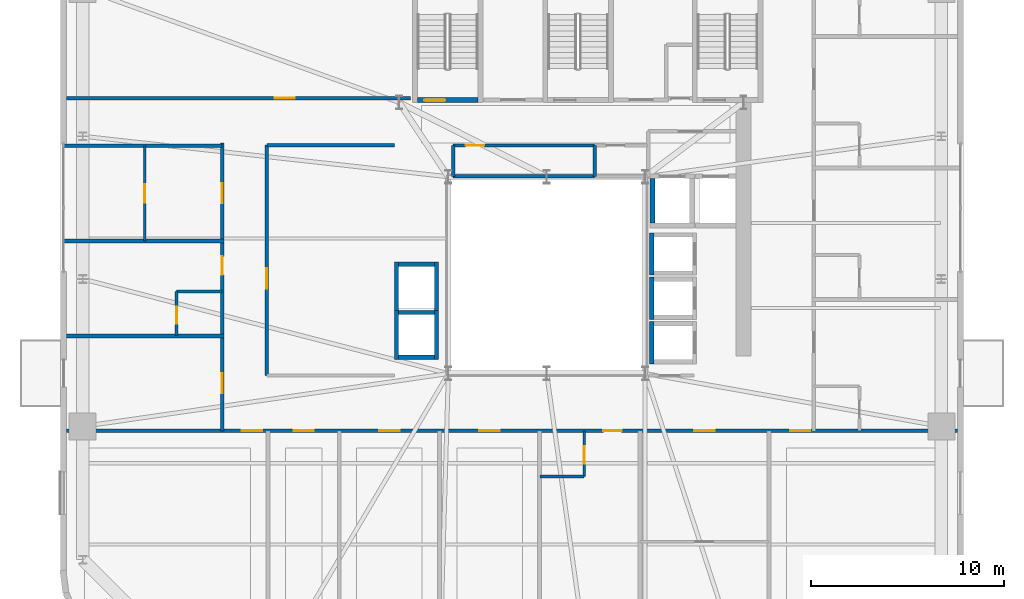
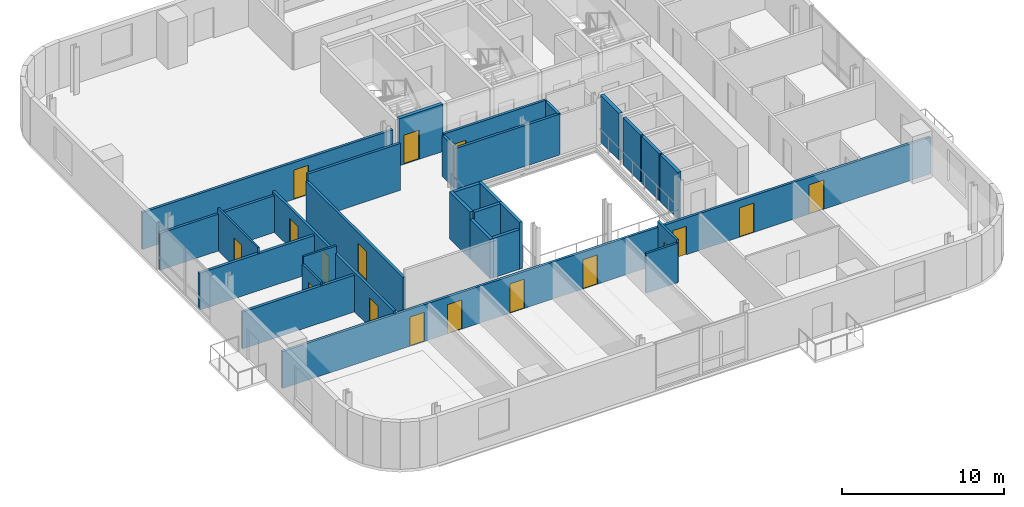
# One storey, part 8 of 16: 29 walls, 17 doors, 17 openings.
"""IFC4 building model written with IfcOpenShell, lengths in metres."""

from ifc_helpers import new_model, si_unit, direction, frame, frame_2d, origin, place, context, subcontext, project, spatial, rectangle, extrude, source, transform, mapped, material, layer, layer_set, type_object, element, fill, save


model = new_model("IFC4")

# Units and contexts
model_context = context("Model", 3, precision=1e-05, world=origin(), true_north=direction((0.0, 1.0)))
body_context = subcontext(model_context, "Body", "Model", "MODEL_VIEW")
ifc_project = project(units=[si_unit("LENGTHUNIT", "METRE"), si_unit("AREAUNIT", "SQUARE_METRE"), si_unit("VOLUMEUNIT", "CUBIC_METRE"), si_unit("PLANEANGLEUNIT", "RADIAN"), si_unit("MASSUNIT", "GRAM", prefix="KILO")], contexts=[model_context])

# Site, building, storey
site_placement = place(None, origin())
site = spatial("IfcSite", under=ifc_project, at=site_placement, CompositionType="ELEMENT")
building_placement = place(site_placement, origin())
building = spatial("IfcBuilding", under=site, at=building_placement, Name="Vardaveli Station Tower", CompositionType="ELEMENT")
storey_placement = place(building_placement, frame((0.0, 0.0, 199.800048828125)))
storey = spatial("IfcBuildingStorey", under=building, at=storey_placement, Name="L51", CompositionType="ELEMENT", Elevation=199.800048828125)

# Wall, opening, door
ifc_material_1 = material(Name="Concrete C40/50", Category="concrete")
ifc_layer_1 = layer(ifc_material_1, 0.25, Name="Concrete C40/50")
ifc_layer_set_1 = layer_set([ifc_layer_1], Name="Concrete C40/50")
wall_type_1 = type_object("IfcWallType", Name="WAL-SHAFT-250", PredefinedType="SOLIDWALL", material=ifc_layer_set_1)
shared_shape_1 = source(origin(), body_context, "Body", "SweptSolid", [
    extrude(rectangle(XDim=3.14990234375, YDim=0.25, at=frame_2d((1.574951171875, 0.0))), origin(), (0.0, 0.0, 1.0), 3.550048828125),
])
wall_1_placement = place(storey_placement, frame((29.60009765625, 30.77490234375, 0.0), z_axis=(0.0, 0.0, 1.0), x_axis=(1.0, 0.0, 0.0)))
wall_1 = element("IfcWall", 1, at=wall_1_placement, inside=storey, type_object=wall_type_1, Name="W-L51-ST-1S", PredefinedType="SOLIDWALL", context=body_context, shape_type="MappedRepresentation", body=[
    mapped(shared_shape_1, transform((0.0, 0.0, 0.0), scale=1.0)),
])
shared_shape_2 = source(origin(), body_context, "Body", "SweptSolid", [
    extrude(rectangle(XDim=1.10009765625, YDim=2.199951171875, at=frame_2d((0.550048828125, 1.10009765625))), frame((0.0, 0.135009765625, 0.0), z_axis=(0.0, -1.0, 0.0), x_axis=(1.0, 0.0, 0.0)), (0.0, 0.0, 1.0), 0.27001953125),
])
opening_1_placement = place(wall_1_placement, frame((0.35009765625, 0.0, 0.0)))
opening_1 = element("IfcOpeningElement", 2, at=opening_1_placement, cuts=wall_1, Name="Opening D-04", PredefinedType="OPENING", context=body_context, shape_type="MappedRepresentation", body=[
    mapped(shared_shape_2, transform((0.0, 0.0, 0.0), scale=1.0)),
])
ifc_material_2 = material(Name="Steel smokeproof fire doorset", Category="steel")
door_type_1 = type_object("IfcDoorType", Name="DR-ST-1100x2200", OperationType="NOTDEFINED", PredefinedType="DOOR", material=ifc_material_2)
shared_shape_3 = source(origin(), body_context, "Body", "SweptSolid", [
    extrude(rectangle(XDim=1.10009765625, YDim=2.199951171875, at=frame_2d((0.550048828125, 1.10009765625))), frame((0.0, 0.02490234375, 0.0), z_axis=(0.0, -1.0, 0.0), x_axis=(1.0, 0.0, 0.0)), (0.0, 0.0, 1.0), 0.050048828125),
])
door_1_placement = place(opening_1_placement, origin())
door_1 = element("IfcDoor", 3, at=door_1_placement, inside=storey, type_object=door_type_1, Name="DST-1-L51", OperationType="SINGLE_SWING_LEFT", OverallHeight=2.199951171875, OverallWidth=1.10009765625, PredefinedType="DOOR", context=body_context, shape_type="MappedRepresentation", body=[
    mapped(shared_shape_3, transform((0.0, 0.0, 0.0), scale=1.0)),
])
fill(opening_1, door_1)

# Walls
ifc_layer_2 = layer(ifc_material_1, 0.219970703125, Name="Concrete C40/50")
ifc_layer_set_2 = layer_set([ifc_layer_2], Name="Concrete C40/50")
wall_type_2 = type_object("IfcWallType", Name="WAL-FFLOBBY-220", PredefinedType="SOLIDWALL", material=ifc_layer_set_2)
shared_shape_4 = source(origin(), body_context, "Body", "SweptSolid", [
    extrude(rectangle(XDim=2.18994140625, YDim=0.219970703125, at=frame_2d((1.094970703125, 0.0))), origin(), (0.0, 0.0, 1.0), 3.530029296875),
])
for number, where, z_axis, x_axis, name in (
    (4, (41.739990234375, 21.705078125, 0.0), (0.0, 0.0, 1.0), (0.0, 1.0, 0.0), "SHW-HL3-01-L51-W"),
    (5, (41.739990234375, 19.405029296875, 0.0), (0.0, 0.0, 1.0), (0.0, 1.0, 0.0), "SHW-HL3-02-L51-W"),
    (6, (41.739990234375, 17.10498046875, 0.0), (0.0, 0.0, 1.0), (0.0, 1.0, 0.0), "SHW-HL3-03-L51-W"),
):
    element("IfcWall", number, at=place(storey_placement, frame(where, z_axis=z_axis, x_axis=x_axis)), inside=storey, type_object=wall_type_2, Name=name, PredefinedType="SOLIDWALL", context=body_context, shape_type="MappedRepresentation", body=[
        mapped(shared_shape_4, transform((0.0, 0.0, 0.0), scale=1.0)),
    ])
shared_shape_5 = source(origin(), body_context, "Body", "SweptSolid", [
    extrude(rectangle(XDim=1.85009765625, YDim=0.219970703125, at=frame_2d((0.925048828125, 0.0))), origin(), (0.0, 0.0, 1.0), 2.971923828125),
])
wall_2_placement = place(storey_placement, frame((28.625, 17.43994140625, 0.0), z_axis=(0.0, 0.0, 1.0), x_axis=(1.0, 0.0, 0.0)))
element("IfcWall", 7, at=wall_2_placement, inside=storey, type_object=wall_type_2, Name="SHW-OBS-01-L51-S", PredefinedType="SOLIDWALL", context=body_context, shape_type="MappedRepresentation", body=[
    mapped(shared_shape_5, transform((0.0, 0.0, 0.0), scale=1.0)),
])
shared_shape_6 = source(origin(), body_context, "Body", "SweptSolid", [
    extrude(rectangle(XDim=1.85009765625, YDim=0.219970703125, at=frame_2d((0.925048828125, 0.0))), origin(), (0.0, 0.0, 1.0), 3.530029296875),
])
for number, where, z_axis, x_axis, name in (
    (8, (28.625, 19.760009765625, 0.0), (0.0, 0.0, 1.0), (1.0, 0.0, 0.0), "SHW-OBS-01-L51-N"),
    (9, (28.625, 22.260009765625, 0.0), (0.0, 0.0, 1.0), (1.0, 0.0, 0.0), "SHW-OBS-02-L51-N"),
):
    element("IfcWall", number, at=place(storey_placement, frame(where, z_axis=z_axis, x_axis=x_axis)), inside=storey, type_object=wall_type_2, Name=name, PredefinedType="SOLIDWALL", context=body_context, shape_type="MappedRepresentation", body=[
        mapped(shared_shape_6, transform((0.0, 0.0, 0.0), scale=1.0)),
    ])
shared_shape_7 = source(origin(), body_context, "Body", "SweptSolid", [
    extrude(rectangle(XDim=2.5400390625, YDim=0.219970703125, at=frame_2d((1.27001953125, 0.0))), origin(), (0.0, 0.0, 1.0), 2.971923828125),
])
wall_3_placement = place(storey_placement, frame((28.514892578125, 17.330078125, 0.0), z_axis=(0.0, 0.0, 1.0), x_axis=(0.0, 1.0, 0.0)))
element("IfcWall", 10, at=wall_3_placement, inside=storey, type_object=wall_type_2, Name="SHW-OBS-01-L51-W", PredefinedType="SOLIDWALL", context=body_context, shape_type="MappedRepresentation", body=[
    mapped(shared_shape_7, transform((0.0, 0.0, 0.0), scale=1.0)),
])
shared_shape_8 = source(origin(), body_context, "Body", "SweptSolid", [
    extrude(rectangle(XDim=2.5400390625, YDim=0.219970703125, at=frame_2d((1.27001953125, 0.0))), origin(), (0.0, 0.0, 1.0), 3.530029296875),
])
for number, where, z_axis, x_axis, name in (
    (11, (30.5849609375, 17.330078125, 0.0), (0.0, 0.0, 1.0), (0.0, 1.0, 0.0), "SHW-OBS-01-L51-E"),
    (12, (28.514892578125, 19.830078125, 0.0), (0.0, 0.0, 1.0), (0.0, 1.0, 0.0), "SHW-OBS-02-L51-W"),
    (13, (30.5849609375, 19.830078125, 0.0), (0.0, 0.0, 1.0), (0.0, 1.0, 0.0), "SHW-OBS-02-L51-E"),
):
    element("IfcWall", number, at=place(storey_placement, frame(where, z_axis=z_axis, x_axis=x_axis)), inside=storey, type_object=wall_type_2, Name=name, PredefinedType="SOLIDWALL", context=body_context, shape_type="MappedRepresentation", body=[
        mapped(shared_shape_8, transform((0.0, 0.0, 0.0), scale=1.0)),
    ])
shared_shape_9 = source(origin(), body_context, "Body", "SweptSolid", [
    extrude(rectangle(XDim=2.300048828125, YDim=0.25, at=frame_2d((1.14990234375, 0.0))), origin(), (0.0, 0.0, 1.0), 3.530029296875),
])
wall_4_placement = place(storey_placement, frame((41.77490234375, 24.39990234375, 0.0), z_axis=(0.0, 0.0, 1.0), x_axis=(0.0, 1.0, 0.0)))
element("IfcWall", 14, at=wall_4_placement, inside=storey, type_object=wall_type_1, Name="SHW-SRV-01-L51-W", PredefinedType="SOLIDWALL", context=body_context, shape_type="MappedRepresentation", body=[
    mapped(shared_shape_9, transform((0.0, 0.0, 0.0), scale=1.0)),
])

# Wall, openings, doors
ifc_material_3 = material(Name="Fire-rated gypsum stud partition")
ifc_layer_3 = layer(ifc_material_3, 0.179931640625, Name="Fire-rated gypsum stud partition")
ifc_layer_set_3 = layer_set([ifc_layer_3], Name="Fire-rated gypsum stud partition")
wall_type_3 = type_object("IfcWallType", Name="WAL-CORR-180", PredefinedType="PARTITIONING", material=ifc_layer_set_3)
shared_shape_10 = source(origin(), body_context, "Body", "SweptSolid", [
    extrude(rectangle(XDim=46.15576171875, YDim=0.179931640625, at=frame_2d((23.077880859375, 0.0))), origin(), (0.0, 0.0, 1.0), 2.77197265625),
])
wall_5_placement = place(storey_placement, frame((11.422119140625, 13.6298828125, 0.0), z_axis=(0.0, 0.0, 1.0), x_axis=(1.0, 0.0, 0.0)))
wall_5 = element("IfcWall", 15, at=wall_5_placement, inside=storey, type_object=wall_type_3, Name="W-L51-CS", PredefinedType="PARTITIONING", context=body_context, shape_type="MappedRepresentation", body=[
    mapped(shared_shape_10, transform((0.0, 0.0, 0.0), scale=1.0)),
])
shared_shape_11 = source(origin(), body_context, "Body", "SweptSolid", [
    extrude(rectangle(XDim=1.050048828125, YDim=2.199951171875, at=frame_2d((0.52490234375, 1.10009765625))), frame((0.0, 0.10009765625, 0.0), z_axis=(0.0, -1.0, 0.0), x_axis=(1.0, 0.0, 0.0)), (0.0, 0.0, 1.0), 0.199951171875),
])
opening_2_placement = place(wall_5_placement, frame((9.077880859375, 0.0, 0.0)))
opening_2 = element("IfcOpeningElement", 16, at=opening_2_placement, cuts=wall_5, Name="Opening D-05", PredefinedType="OPENING", context=body_context, shape_type="MappedRepresentation", body=[
    mapped(shared_shape_11, transform((0.0, 0.0, 0.0), scale=1.0)),
])
opening_3_placement = place(wall_5_placement, frame((11.7548828125, 0.0, 0.0)))
opening_3 = element("IfcOpeningElement", 17, at=opening_3_placement, cuts=wall_5, Name="Opening D-05", PredefinedType="OPENING", context=body_context, shape_type="MappedRepresentation", body=[
    mapped(shared_shape_11, transform((0.0, 0.0, 0.0), scale=1.0)),
])
opening_4_placement = place(wall_5_placement, frame((16.198974609375, 0.0, 0.0)))
opening_4 = element("IfcOpeningElement", 18, at=opening_4_placement, cuts=wall_5, Name="Opening D-05", PredefinedType="OPENING", context=body_context, shape_type="MappedRepresentation", body=[
    mapped(shared_shape_11, transform((0.0, 0.0, 0.0), scale=1.0)),
])
opening_5_placement = place(wall_5_placement, frame((21.39306640625, 0.0, 0.0)))
opening_5 = element("IfcOpeningElement", 19, at=opening_5_placement, cuts=wall_5, Name="Opening D-05", PredefinedType="OPENING", context=body_context, shape_type="MappedRepresentation", body=[
    mapped(shared_shape_11, transform((0.0, 0.0, 0.0), scale=1.0)),
])
shared_shape_12 = source(origin(), body_context, "Body", "SweptSolid", [
    extrude(rectangle(XDim=0.949951171875, YDim=2.14990234375, at=frame_2d((0.47509765625, 1.074951171875))), frame((0.0, 0.10009765625, 0.0), z_axis=(0.0, -1.0, 0.0), x_axis=(1.0, 0.0, 0.0)), (0.0, 0.0, 1.0), 0.199951171875),
])
opening_6_placement = place(wall_5_placement, frame((27.81201171875, 0.0, 0.0)))
opening_6 = element("IfcOpeningElement", 20, at=opening_6_placement, cuts=wall_5, Name="Opening D-06", PredefinedType="OPENING", context=body_context, shape_type="MappedRepresentation", body=[
    mapped(shared_shape_12, transform((0.0, 0.0, 0.0), scale=1.0)),
])
opening_7_placement = place(wall_5_placement, frame((32.531005859375, 0.0, 0.0)))
opening_7 = element("IfcOpeningElement", 21, at=opening_7_placement, cuts=wall_5, Name="Opening D-05", PredefinedType="OPENING", context=body_context, shape_type="MappedRepresentation", body=[
    mapped(shared_shape_11, transform((0.0, 0.0, 0.0), scale=1.0)),
])
opening_8_placement = place(wall_5_placement, frame((37.498046875, 0.0, 0.0)))
opening_8 = element("IfcOpeningElement", 22, at=opening_8_placement, cuts=wall_5, Name="Opening D-05", PredefinedType="OPENING", context=body_context, shape_type="MappedRepresentation", body=[
    mapped(shared_shape_11, transform((0.0, 0.0, 0.0), scale=1.0)),
])
ifc_material_4 = material(Name="Walnut veneer acoustic fire door")
door_type_2 = type_object("IfcDoorType", Name="DR-SUITE-1050x2200", OperationType="NOTDEFINED", PredefinedType="DOOR", material=ifc_material_4)
shared_shape_13 = source(origin(), body_context, "Body", "SweptSolid", [
    extrude(rectangle(XDim=1.050048828125, YDim=2.199951171875, at=frame_2d((0.52490234375, 1.10009765625))), frame((0.0, 0.02490234375, 0.0), z_axis=(0.0, -1.0, 0.0), x_axis=(1.0, 0.0, 0.0)), (0.0, 0.0, 1.0), 0.050048828125),
])
door_2_placement = place(opening_2_placement, origin())
door_2 = element("IfcDoor", 23, at=door_2_placement, inside=storey, type_object=door_type_2, Name="D-L51-SA1", OperationType="SINGLE_SWING_LEFT", OverallHeight=2.199951171875, OverallWidth=1.050048828125, PredefinedType="DOOR", context=body_context, shape_type="MappedRepresentation", body=[
    mapped(shared_shape_13, transform((0.0, 0.0, 0.0), scale=1.0)),
])
fill(opening_2, door_2)
door_3_placement = place(opening_3_placement, origin())
door_3 = element("IfcDoor", 24, at=door_3_placement, inside=storey, type_object=door_type_2, Name="D-L51-SA2", OperationType="SINGLE_SWING_RIGHT", OverallHeight=2.199951171875, OverallWidth=1.050048828125, PredefinedType="DOOR", context=body_context, shape_type="MappedRepresentation", body=[
    mapped(shared_shape_13, transform((0.0, 0.0, 0.0), scale=1.0)),
])
fill(opening_3, door_3)
door_4_placement = place(opening_4_placement, origin())
door_4 = element("IfcDoor", 25, at=door_4_placement, inside=storey, type_object=door_type_2, Name="D-L51-SA3", OperationType="SINGLE_SWING_LEFT", OverallHeight=2.199951171875, OverallWidth=1.050048828125, PredefinedType="DOOR", context=body_context, shape_type="MappedRepresentation", body=[
    mapped(shared_shape_13, transform((0.0, 0.0, 0.0), scale=1.0)),
])
fill(opening_4, door_4)
door_5_placement = place(opening_5_placement, origin())
door_5 = element("IfcDoor", 26, at=door_5_placement, inside=storey, type_object=door_type_2, Name="D-L51-SA4", OperationType="SINGLE_SWING_RIGHT", OverallHeight=2.199951171875, OverallWidth=1.050048828125, PredefinedType="DOOR", context=body_context, shape_type="MappedRepresentation", body=[
    mapped(shared_shape_13, transform((0.0, 0.0, 0.0), scale=1.0)),
])
fill(opening_5, door_5)
door_6_placement = place(opening_7_placement, origin())
door_6 = element("IfcDoor", 27, at=door_6_placement, inside=storey, type_object=door_type_2, Name="D-L51-SCB6", OperationType="SINGLE_SWING_RIGHT", OverallHeight=2.199951171875, OverallWidth=1.050048828125, PredefinedType="DOOR", context=body_context, shape_type="MappedRepresentation", body=[
    mapped(shared_shape_13, transform((0.0, 0.0, 0.0), scale=1.0)),
])
fill(opening_7, door_6)
door_7_placement = place(opening_8_placement, origin())
door_7 = element("IfcDoor", 28, at=door_7_placement, inside=storey, type_object=door_type_2, Name="D-L51-SA7", OperationType="SINGLE_SWING_LEFT", OverallHeight=2.199951171875, OverallWidth=1.050048828125, PredefinedType="DOOR", context=body_context, shape_type="MappedRepresentation", body=[
    mapped(shared_shape_13, transform((0.0, 0.0, 0.0), scale=1.0)),
])
fill(opening_8, door_7)
ifc_material_5 = material(Name="Oak veneer acoustic fire door")
door_type_3 = type_object("IfcDoorType", Name="DR-GUEST-950x2150", OperationType="NOTDEFINED", PredefinedType="DOOR", material=ifc_material_5)
shared_shape_14 = source(origin(), body_context, "Body", "SweptSolid", [
    extrude(rectangle(XDim=0.949951171875, YDim=2.14990234375, at=frame_2d((0.47509765625, 1.074951171875))), frame((0.0, 0.02490234375, 0.0), z_axis=(0.0, -1.0, 0.0), x_axis=(1.0, 0.0, 0.0)), (0.0, 0.0, 1.0), 0.050048828125),
])
door_8_placement = place(opening_6_placement, origin())
door_8 = element("IfcDoor", 29, at=door_8_placement, inside=storey, type_object=door_type_3, Name="D-L51-GS5", OperationType="SINGLE_SWING_LEFT", OverallHeight=2.14990234375, OverallWidth=0.949951171875, PredefinedType="DOOR", context=body_context, shape_type="MappedRepresentation", body=[
    mapped(shared_shape_14, transform((0.0, 0.0, 0.0), scale=1.0)),
])
fill(opening_6, door_8)

# Wall, opening, door
shared_shape_15 = source(origin(), body_context, "Body", "SweptSolid", [
    extrude(rectangle(XDim=17.827880859375, YDim=0.179931640625, at=frame_2d((8.9140625, 0.0))), origin(), (0.0, 0.0, 1.0), 2.77197265625),
])
wall_6_placement = place(storey_placement, frame((11.422119140625, 30.8798828125, 0.0), z_axis=(0.0, 0.0, 1.0), x_axis=(1.0, 0.0, 0.0)))
wall_6 = element("IfcWall", 30, at=wall_6_placement, inside=storey, type_object=wall_type_3, Name="W-L51-CNWS", PredefinedType="PARTITIONING", context=body_context, shape_type="MappedRepresentation", body=[
    mapped(shared_shape_15, transform((0.0, 0.0, 0.0), scale=1.0)),
])
opening_9_placement = place(wall_6_placement, frame((10.778076171875, 0.0, 0.0)))
opening_9 = element("IfcOpeningElement", 31, at=opening_9_placement, cuts=wall_6, Name="Opening D-05", PredefinedType="OPENING", context=body_context, shape_type="MappedRepresentation", body=[
    mapped(shared_shape_11, transform((0.0, 0.0, 0.0), scale=1.0)),
])
door_9_placement = place(opening_9_placement, origin())
door_9 = element("IfcDoor", 32, at=door_9_placement, inside=storey, type_object=door_type_2, Name="D-L51-GNW1", OperationType="SINGLE_SWING_LEFT", OverallHeight=2.199951171875, OverallWidth=1.050048828125, PredefinedType="DOOR", context=body_context, shape_type="MappedRepresentation", body=[
    mapped(shared_shape_13, transform((0.0, 0.0, 0.0), scale=1.0)),
])
fill(opening_9, door_9)

ifc_material_6 = material(Name="Moisture-resistant stud partition")
ifc_layer_4 = layer(ifc_material_6, 0.14990234375, Name="Moisture-resistant stud partition")
ifc_layer_set_4 = layer_set([ifc_layer_4], Name="Moisture-resistant stud partition")
wall_type_4 = type_object("IfcWallType", Name="WAL-WET-150", PredefinedType="PARTITIONING", material=ifc_layer_set_4)
shared_shape_16 = source(origin(), body_context, "Body", "SweptSolid", [
    extrude(rectangle(XDim=2.2900390625, YDim=0.14990234375, at=frame_2d((1.14501953125, 0.0))), origin(), (0.0, 0.0, 1.0), 2.971923828125),
])
wall_7_placement = place(storey_placement, frame((17.1201171875, 18.572998046875, 0.0), z_axis=(0.0, 0.0, 1.0), x_axis=(0.0, 1.0, 0.0)))
wall_7 = element("IfcWall", 33, at=wall_7_placement, inside=storey, type_object=wall_type_4, Name="W-L51-BW2-W", PredefinedType="PARTITIONING", context=body_context, shape_type="MappedRepresentation", body=[
    mapped(shared_shape_16, transform((0.0, 0.0, 0.0), scale=1.0)),
])
shared_shape_17 = source(origin(), body_context, "Body", "SweptSolid", [
    extrude(rectangle(XDim=0.89990234375, YDim=2.10009765625, at=frame_2d((0.449951171875, 1.050048828125))), frame((0.0, 0.0849609375, 0.0), z_axis=(0.0, -1.0, 0.0), x_axis=(1.0, 0.0, 0.0)), (0.0, 0.0, 1.0), 0.169921875),
])
opening_10_placement = place(wall_7_placement, frame((0.60009765625, 0.0, 0.0)))
opening_10 = element("IfcOpeningElement", 34, at=opening_10_placement, cuts=wall_7, Name="Opening D-08", PredefinedType="OPENING", context=body_context, shape_type="MappedRepresentation", body=[
    mapped(shared_shape_17, transform((0.0, 0.0, 0.0), scale=1.0)),
])
ifc_material_7 = material(Name="Moisture-resistant oak door")
door_type_4 = type_object("IfcDoorType", Name="DR-BATH-900x2100", OperationType="NOTDEFINED", PredefinedType="DOOR", material=ifc_material_7)
shared_shape_18 = source(origin(), body_context, "Body", "SweptSolid", [
    extrude(rectangle(XDim=0.89990234375, YDim=2.10009765625, at=frame_2d((0.449951171875, 1.050048828125))), frame((0.0, 0.02490234375, 0.0), z_axis=(0.0, -1.0, 0.0), x_axis=(1.0, 0.0, 0.0)), (0.0, 0.0, 1.0), 0.050048828125),
])
door_10_placement = place(opening_10_placement, origin())
door_10 = element("IfcDoor", 35, at=door_10_placement, inside=storey, type_object=door_type_4, Name="D-L51-BW2", OperationType="SINGLE_SWING_LEFT", OverallHeight=2.10009765625, OverallWidth=0.89990234375, PredefinedType="DOOR", context=body_context, shape_type="MappedRepresentation", body=[
    mapped(shared_shape_18, transform((0.0, 0.0, 0.0), scale=1.0)),
])
fill(opening_10, door_10)

# Walls
wall_8_placement = place(storey_placement, frame((35.951904296875, 11.27001953125, 0.0), z_axis=(0.0, 0.0, 1.0), x_axis=(1.0, 0.0, 0.0)))
element("IfcWall", 36, at=wall_8_placement, inside=storey, type_object=wall_type_4, Name="W-L51-BS5-S", PredefinedType="PARTITIONING", context=body_context, shape_type="MappedRepresentation", body=[
    mapped(shared_shape_16, transform((0.0, 0.0, 0.0), scale=1.0)),
])
shared_shape_19 = source(origin(), body_context, "Body", "SweptSolid", [
    extrude(rectangle(XDim=2.35986328125, YDim=0.14990234375, at=frame_2d((1.179931640625, 0.0))), origin(), (0.0, 0.0, 1.0), 3.530029296875),
])
wall_9_placement = place(storey_placement, frame((17.1201171875, 20.863037109375, 0.0), z_axis=(0.0, 0.0, 1.0), x_axis=(1.0, 0.0, 0.0)))
element("IfcWall", 37, at=wall_9_placement, inside=storey, type_object=wall_type_4, Name="W-L51-BW2-N", PredefinedType="PARTITIONING", context=body_context, shape_type="MappedRepresentation", body=[
    mapped(shared_shape_19, transform((0.0, 0.0, 0.0), scale=1.0)),
])
shared_shape_20 = source(origin(), body_context, "Body", "SweptSolid", [
    extrude(rectangle(XDim=1.599853515625, YDim=0.179931640625, at=frame_2d((0.7998046875, 0.0))), origin(), (0.0, 0.0, 1.0), 3.072021484375),
])
for number, where, z_axis, x_axis, name in (
    (38, (31.449951171875, 26.820068359375, 0.0), (0.0, 0.0, 1.0), (0.0, 1.0, 0.0), "W-L51-HKP0-W"),
    (39, (38.780029296875, 26.820068359375, 0.0), (0.0, 0.0, 1.0), (0.0, 1.0, 0.0), "W-L51-HKP0-E"),
):
    element("IfcWall", number, at=place(storey_placement, frame(where, z_axis=z_axis, x_axis=x_axis)), inside=storey, type_object=wall_type_3, Name=name, PredefinedType="PARTITIONING", context=body_context, shape_type="MappedRepresentation", body=[
        mapped(shared_shape_20, transform((0.0, 0.0, 0.0), scale=1.0)),
    ])

# Wall, opening, door
shared_shape_21 = source(origin(), body_context, "Body", "SweptSolid", [
    extrude(rectangle(XDim=11.93994140625, YDim=0.179931640625, at=frame_2d((5.969970703125, 0.0))), origin(), (0.0, 0.0, 1.0), 2.971923828125),
])
wall_10_placement = place(storey_placement, frame((21.800048828125, 16.5, 0.0), z_axis=(0.0, 0.0, 1.0), x_axis=(0.0, 1.0, 0.0)))
wall_10 = element("IfcWall", 40, at=wall_10_placement, inside=storey, type_object=wall_type_3, Name="W-L51-ATW-W", PredefinedType="PARTITIONING", context=body_context, shape_type="MappedRepresentation", body=[
    mapped(shared_shape_21, transform((0.0, 0.0, 0.0), scale=1.0)),
])
opening_11_placement = place(wall_10_placement, frame((4.5, 0.0, 0.0)))
opening_11 = element("IfcOpeningElement", 41, at=opening_11_placement, cuts=wall_10, Name="Opening D-05", PredefinedType="OPENING", context=body_context, shape_type="MappedRepresentation", body=[
    mapped(shared_shape_11, transform((0.0, 0.0, 0.0), scale=1.0)),
])
door_11_placement = place(opening_11_placement, origin())
door_11 = element("IfcDoor", 42, at=door_11_placement, inside=storey, type_object=door_type_2, Name="D-L51-ATW1", OperationType="SINGLE_SWING_LEFT", OverallHeight=2.199951171875, OverallWidth=1.050048828125, PredefinedType="DOOR", context=body_context, shape_type="MappedRepresentation", body=[
    mapped(shared_shape_13, transform((0.0, 0.0, 0.0), scale=1.0)),
])
fill(opening_11, door_11)

shared_shape_22 = source(origin(), body_context, "Body", "SweptSolid", [
    extrude(rectangle(XDim=7.330078125, YDim=0.179931640625, at=frame_2d((3.6650390625, 0.0))), origin(), (0.0, 0.0, 1.0), 3.161865234375),
])
wall_11_placement = place(storey_placement, frame((31.449951171875, 28.419921875, 0.0), z_axis=(0.0, 0.0, 1.0), x_axis=(1.0, 0.0, 0.0)))
wall_11 = element("IfcWall", 43, at=wall_11_placement, inside=storey, type_object=wall_type_3, Name="W-L51-HKP0-N", PredefinedType="PARTITIONING", context=body_context, shape_type="MappedRepresentation", body=[
    mapped(shared_shape_22, transform((0.0, 0.0, 0.0), scale=1.0)),
])
opening_12_placement = place(wall_11_placement, frame((0.64990234375, 0.0, 0.0)))
opening_12 = element("IfcOpeningElement", 44, at=opening_12_placement, cuts=wall_11, Name="Opening D-06", PredefinedType="OPENING", context=body_context, shape_type="MappedRepresentation", body=[
    mapped(shared_shape_12, transform((0.0, 0.0, 0.0), scale=1.0)),
])
door_12_placement = place(opening_12_placement, origin())
door_12 = element("IfcDoor", 45, at=door_12_placement, inside=storey, type_object=door_type_3, Name="D-L51-HKP", OperationType="SINGLE_SWING_RIGHT", OverallHeight=2.14990234375, OverallWidth=0.949951171875, PredefinedType="DOOR", context=body_context, shape_type="MappedRepresentation", body=[
    mapped(shared_shape_14, transform((0.0, 0.0, 0.0), scale=1.0)),
])
fill(opening_12, door_12)

# Wall
shared_shape_23 = source(origin(), body_context, "Body", "SweptSolid", [
    extrude(rectangle(XDim=7.330078125, YDim=0.179931640625, at=frame_2d((3.6650390625, 0.0))), origin(), (0.0, 0.0, 1.0), 3.072021484375),
])
wall_12_placement = place(storey_placement, frame((31.449951171875, 26.820068359375, 0.0), z_axis=(0.0, 0.0, 1.0), x_axis=(1.0, 0.0, 0.0)))
element("IfcWall", 46, at=wall_12_placement, inside=storey, type_object=wall_type_3, Name="W-L51-HKP0-S", PredefinedType="PARTITIONING", context=body_context, shape_type="MappedRepresentation", body=[
    mapped(shared_shape_23, transform((0.0, 0.0, 0.0), scale=1.0)),
])

# Wall, openings, doors
shared_shape_24 = source(origin(), body_context, "Body", "SweptSolid", [
    extrude(rectangle(XDim=14.920166015625, YDim=0.179931640625, at=frame_2d((7.4599609375, 0.0))), origin(), (0.0, 0.0, 1.0), 2.971923828125),
])
wall_13_placement = place(storey_placement, frame((19.47998046875, 13.6298828125, 0.0), z_axis=(0.0, 0.0, 1.0), x_axis=(0.0, 1.0, 0.0)))
wall_13 = element("IfcWall", 47, at=wall_13_placement, inside=storey, type_object=wall_type_3, Name="W-L51-CW", PredefinedType="PARTITIONING", context=body_context, shape_type="MappedRepresentation", body=[
    mapped(shared_shape_24, transform((0.0, 0.0, 0.0), scale=1.0)),
])
opening_13_placement = place(wall_13_placement, frame((1.941650390625, 0.0, 0.0)))
opening_13 = element("IfcOpeningElement", 48, at=opening_13_placement, cuts=wall_13, Name="Opening D-05", PredefinedType="OPENING", context=body_context, shape_type="MappedRepresentation", body=[
    mapped(shared_shape_11, transform((0.0, 0.0, 0.0), scale=1.0)),
])
opening_14_placement = place(wall_13_placement, frame((8.090087890625, 0.0, 0.0)))
opening_14 = element("IfcOpeningElement", 49, at=opening_14_placement, cuts=wall_13, Name="Opening D-06", PredefinedType="OPENING", context=body_context, shape_type="MappedRepresentation", body=[
    mapped(shared_shape_12, transform((0.0, 0.0, 0.0), scale=1.0)),
])
opening_15_placement = place(wall_13_placement, frame((11.788330078125, 0.0, 0.0)))
opening_15 = element("IfcOpeningElement", 50, at=opening_15_placement, cuts=wall_13, Name="Opening D-05", PredefinedType="OPENING", context=body_context, shape_type="MappedRepresentation", body=[
    mapped(shared_shape_11, transform((0.0, 0.0, 0.0), scale=1.0)),
])
door_13_placement = place(opening_13_placement, origin())
door_13 = element("IfcDoor", 51, at=door_13_placement, inside=storey, type_object=door_type_2, Name="D-L51-GW1", OperationType="SINGLE_SWING_RIGHT", OverallHeight=2.199951171875, OverallWidth=1.050048828125, PredefinedType="DOOR", context=body_context, shape_type="MappedRepresentation", body=[
    mapped(shared_shape_13, transform((0.0, 0.0, 0.0), scale=1.0)),
])
fill(opening_13, door_13)
door_14_placement = place(opening_15_placement, origin())
door_14 = element("IfcDoor", 52, at=door_14_placement, inside=storey, type_object=door_type_2, Name="D-L51-GW3", OperationType="SINGLE_SWING_RIGHT", OverallHeight=2.199951171875, OverallWidth=1.050048828125, PredefinedType="DOOR", context=body_context, shape_type="MappedRepresentation", body=[
    mapped(shared_shape_13, transform((0.0, 0.0, 0.0), scale=1.0)),
])
fill(opening_15, door_14)
door_15_placement = place(opening_14_placement, origin())
door_15 = element("IfcDoor", 53, at=door_15_placement, inside=storey, type_object=door_type_3, Name="D-L51-GW2", OperationType="SINGLE_SWING_LEFT", OverallHeight=2.14990234375, OverallWidth=0.949951171875, PredefinedType="DOOR", context=body_context, shape_type="MappedRepresentation", body=[
    mapped(shared_shape_14, transform((0.0, 0.0, 0.0), scale=1.0)),
])
fill(opening_14, door_15)

# Wall, opening, door
ifc_material_8 = material(Name="Gypsum board stud partition")
ifc_layer_5 = layer(ifc_material_8, 0.125, Name="Gypsum board stud partition")
ifc_layer_set_5 = layer_set([ifc_layer_5], Name="Gypsum board stud partition")
wall_type_5 = type_object("IfcWallType", Name="WAL-INT-125", PredefinedType="PARTITIONING", material=ifc_layer_set_5)
shared_shape_25 = source(origin(), body_context, "Body", "SweptSolid", [
    extrude(rectangle(XDim=4.9228515625, YDim=0.125, at=frame_2d((2.46142578125, 0.0))), origin(), (0.0, 0.0, 1.0), 3.19189453125),
])
wall_14_placement = place(storey_placement, frame((15.465087890625, 23.47705078125, 0.0), z_axis=(0.0, 0.0, 1.0), x_axis=(0.0, 1.0, 0.0)))
wall_14 = element("IfcWall", 54, at=wall_14_placement, inside=storey, type_object=wall_type_5, Name="W-L51-WCM3", PredefinedType="PARTITIONING", context=body_context, shape_type="MappedRepresentation", body=[
    mapped(shared_shape_25, transform((0.0, 0.0, 0.0), scale=1.0)),
])
shared_shape_26 = source(origin(), body_context, "Body", "SweptSolid", [
    extrude(rectangle(XDim=0.949951171875, YDim=2.14990234375, at=frame_2d((0.47509765625, 1.074951171875))), frame((0.0, 0.072509765625, 0.0), z_axis=(0.0, -1.0, 0.0), x_axis=(1.0, 0.0, 0.0)), (0.0, 0.0, 1.0), 0.14501953125),
])
opening_16_placement = place(wall_14_placement, frame((1.981689453125, 0.0, 0.0)))
opening_16 = element("IfcOpeningElement", 55, at=opening_16_placement, cuts=wall_14, Name="Opening D-11", PredefinedType="OPENING", context=body_context, shape_type="MappedRepresentation", body=[
    mapped(shared_shape_26, transform((0.0, 0.0, 0.0), scale=1.0)),
])
ifc_material_9 = material(Name="Oak veneer internal suite door")
door_type_5 = type_object("IfcDoorType", Name="DR-INT-950x2150", OperationType="NOTDEFINED", PredefinedType="DOOR", material=ifc_material_9)
door_16_placement = place(opening_16_placement, origin())
door_16 = element("IfcDoor", 56, at=door_16_placement, inside=storey, type_object=door_type_5, Name="D-L51-GWF3", OperationType="SINGLE_SWING_RIGHT", OverallHeight=2.14990234375, OverallWidth=0.949951171875, PredefinedType="DOOR", context=body_context, shape_type="MappedRepresentation", body=[
    mapped(shared_shape_14, transform((0.0, 0.0, 0.0), scale=1.0)),
])
fill(opening_16, door_16)

shared_shape_27 = source(origin(), body_context, "Body", "SweptSolid", [
    extrude(rectangle(XDim=2.35986328125, YDim=0.14990234375, at=frame_2d((1.179931640625, 0.0))), origin(), (0.0, 0.0, 1.0), 3.19189453125),
])
wall_15_placement = place(storey_placement, frame((38.241943359375, 11.27001953125, 0.0), z_axis=(0.0, 0.0, 1.0), x_axis=(0.0, 1.0, 0.0)))
wall_15 = element("IfcWall", 57, at=wall_15_placement, inside=storey, type_object=wall_type_4, Name="W-L51-BS5-E", PredefinedType="PARTITIONING", context=body_context, shape_type="MappedRepresentation", body=[
    mapped(shared_shape_27, transform((0.0, 0.0, 0.0), scale=1.0)),
])
opening_17_placement = place(wall_15_placement, frame((0.64990234375, 0.0, 0.0)))
opening_17 = element("IfcOpeningElement", 58, at=opening_17_placement, cuts=wall_15, Name="Opening D-08", PredefinedType="OPENING", context=body_context, shape_type="MappedRepresentation", body=[
    mapped(shared_shape_17, transform((0.0, 0.0, 0.0), scale=1.0)),
])
door_17_placement = place(opening_17_placement, origin())
door_17 = element("IfcDoor", 59, at=door_17_placement, inside=storey, type_object=door_type_4, Name="D-L51-BS5", OperationType="SINGLE_SWING_LEFT", OverallHeight=2.10009765625, OverallWidth=0.89990234375, PredefinedType="DOOR", context=body_context, shape_type="MappedRepresentation", body=[
    mapped(shared_shape_18, transform((0.0, 0.0, 0.0), scale=1.0)),
])
fill(opening_17, door_17)

# Walls
ifc_material_10 = material(Name="Acoustic twin-stud gypsum partition")
ifc_layer_6 = layer(ifc_material_10, 0.199951171875, Name="Acoustic twin-stud gypsum partition")
ifc_layer_set_6 = layer_set([ifc_layer_6], Name="Acoustic twin-stud gypsum partition")
wall_type_6 = type_object("IfcWallType", Name="WAL-PARTY-200", PredefinedType="PARTITIONING", material=ifc_layer_set_6)
shared_shape_28 = source(origin(), body_context, "Body", "SweptSolid", [
    extrude(rectangle(XDim=8.157958984375, YDim=0.199951171875, at=frame_2d((4.0791015625, 0.0))), origin(), (0.0, 0.0, 1.0), 2.77197265625),
])
wall_16_placement = place(storey_placement, frame((11.422119140625, 18.552978515625, 0.0), z_axis=(0.0, 0.0, 1.0), x_axis=(1.0, 0.0, 0.0)))
element("IfcWall", 60, at=wall_16_placement, inside=storey, type_object=wall_type_6, Name="W-L51-PW1", PredefinedType="PARTITIONING", context=body_context, shape_type="MappedRepresentation", body=[
    mapped(shared_shape_28, transform((0.0, 0.0, 0.0), scale=1.0)),
])
shared_shape_29 = source(origin(), body_context, "Body", "SweptSolid", [
    extrude(rectangle(XDim=8.35009765625, YDim=0.199951171875, at=frame_2d((4.175048828125, 0.0))), origin(), (0.0, 0.0, 1.0), 2.77197265625),
])
wall_17_placement = place(storey_placement, frame((11.22998046875, 23.47705078125, 0.0), z_axis=(0.0, 0.0, 1.0), x_axis=(1.0, 0.0, 0.0)))
element("IfcWall", 61, at=wall_17_placement, inside=storey, type_object=wall_type_6, Name="W-L51-PW2", PredefinedType="PARTITIONING", context=body_context, shape_type="MappedRepresentation", body=[
    mapped(shared_shape_29, transform((0.0, 0.0, 0.0), scale=1.0)),
])
shared_shape_30 = source(origin(), body_context, "Body", "SweptSolid", [
    extrude(rectangle(XDim=8.25, YDim=0.179931640625, at=frame_2d((4.125, 0.0))), origin(), (0.0, 0.0, 1.0), 2.77197265625),
])
wall_18_placement = place(storey_placement, frame((11.22998046875, 28.39990234375, 0.0), z_axis=(0.0, 0.0, 1.0), x_axis=(1.0, 0.0, 0.0)))
element("IfcWall", 62, at=wall_18_placement, inside=storey, type_object=wall_type_3, Name="W-L51-CWN", PredefinedType="PARTITIONING", context=body_context, shape_type="MappedRepresentation", body=[
    mapped(shared_shape_30, transform((0.0, 0.0, 0.0), scale=1.0)),
])
shared_shape_31 = source(origin(), body_context, "Body", "SweptSolid", [
    extrude(rectangle(XDim=6.599853515625, YDim=0.179931640625, at=frame_2d((3.2998046875, 0.0))), origin(), (0.0, 0.0, 1.0), 3.530029296875),
])
wall_19_placement = place(storey_placement, frame((21.800048828125, 28.43994140625, 0.0), z_axis=(0.0, 0.0, 1.0), x_axis=(1.0, 0.0, 0.0)))
element("IfcWall", 63, at=wall_19_placement, inside=storey, type_object=wall_type_3, Name="W-L51-ATW-N", PredefinedType="PARTITIONING", context=body_context, shape_type="MappedRepresentation", body=[
    mapped(shared_shape_31, transform((0.0, 0.0, 0.0), scale=1.0)),
])

save(model, "model.ifc")
